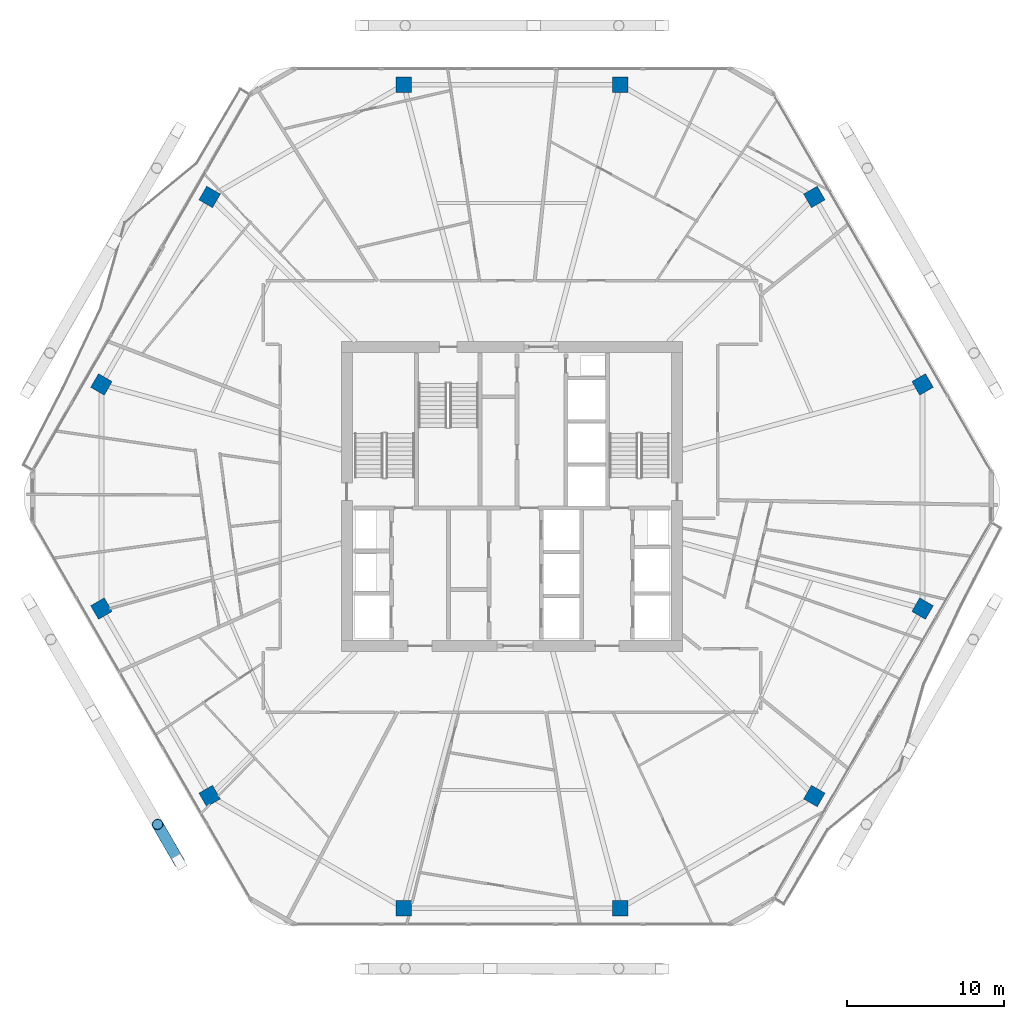
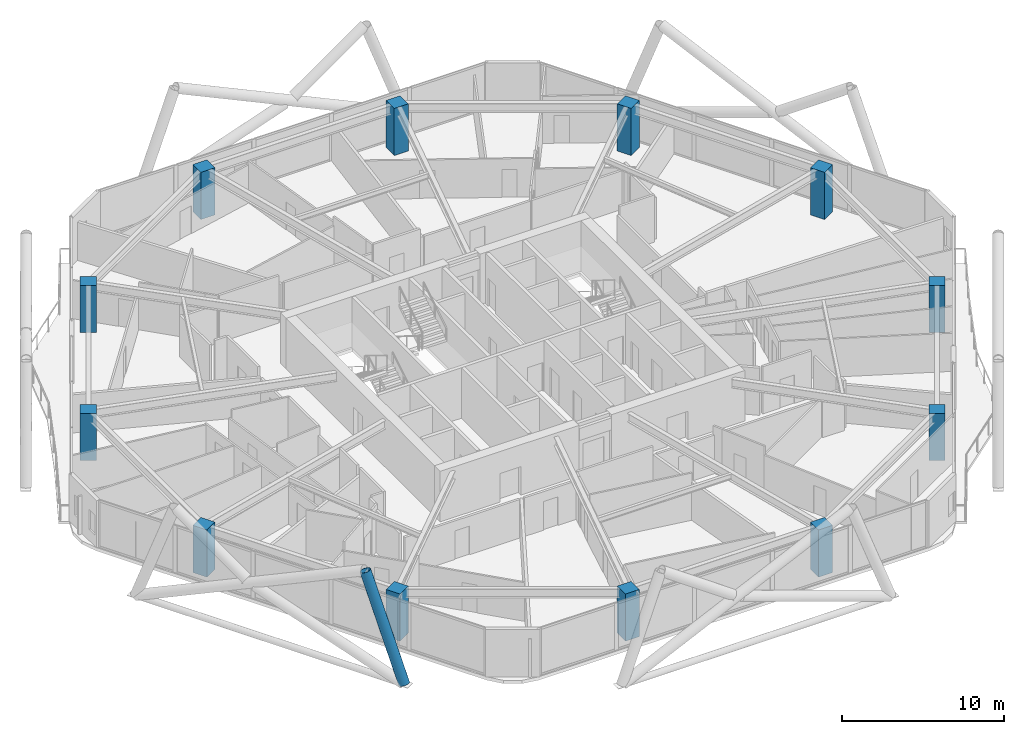
# One storey, part 1 of 30: 12 columns, 1 member.
"""IFC4 building model written with IfcOpenShell, lengths in metres."""

from ifc_helpers import new_model, si_unit, direction, frame, origin, origin_2d, place, context, subcontext, project, spatial, rectangle, hollow_circle, extrude, material, material_profile, profile_set, type_object, element, save


model = new_model("IFC4")

# Units and contexts
model_context = context("Model", 3, precision=1e-05, world=origin(), true_north=direction((0.0, 1.0)))
body_context = subcontext(model_context, "Body", "Model", "MODEL_VIEW")
ifc_project = project(units=[si_unit("LENGTHUNIT", "METRE"), si_unit("AREAUNIT", "SQUARE_METRE"), si_unit("VOLUMEUNIT", "CUBIC_METRE"), si_unit("PLANEANGLEUNIT", "RADIAN"), si_unit("MASSUNIT", "GRAM", prefix="KILO")], contexts=[model_context])

# Site, building, storey
site_placement = place(None, origin())
site = spatial("IfcSite", under=ifc_project, at=site_placement, CompositionType="ELEMENT")
building_placement = place(site_placement, origin())
building = spatial("IfcBuilding", under=site, at=building_placement, Name="Zuhravey Tower", CompositionType="ELEMENT")
storey_placement = place(building_placement, frame((0.0, 0.0, 177.0)))
storey = spatial("IfcBuildingStorey", under=building, at=storey_placement, Name="L44", CompositionType="ELEMENT", Elevation=177.0)

# Columns
ifc_material_1 = material(Name="Concrete C60/75", Category="concrete")
ifc_material_profile_1 = material_profile(ifc_material_1, rectangle(XDim=1.0, YDim=1.0, at=origin_2d()), Name="RC-1000x1000")
ifc_profile_set_1 = profile_set([ifc_material_profile_1], Name="Concrete C60/75")
column_type = type_object("IfcColumnType", Name="Zone 2 Perimeter Column 1000x1000", PredefinedType="COLUMN", material=ifc_profile_set_1)
for number, where, z_axis, x_axis, name in (
    (1, (62.107666015625, 39.12646484375, 0.0), (0.0, 0.0, 1.0), (-0.5, 0.866025403784, 0.0), "L44 Perimeter Column PC01"),
    (2, (55.2255859375, 51.046630859375, 0.0), (0.0, 0.0, 1.0), (-0.5, 0.866025403784, 0.0), "L44 Perimeter Column PC02"),
    (3, (42.882080078125, 58.173095703125, 0.0), (0.0, 0.0, 1.0), (-1.0, 0.0, 0.0), "L44 Perimeter Column PC03"),
    (4, (29.117919921875, 58.173095703125, 0.0), (0.0, 0.0, 1.0), (-1.0, 0.0, 0.0), "L44 Perimeter Column PC04"),
    (5, (16.7744140625, 51.046630859375, 0.0), (0.0, 0.0, 1.0), (-0.5, -0.866025403784, 0.0), "L44 Perimeter Column PC05"),
    (6, (9.892333984375, 39.12646484375, 0.0), (0.0, 0.0, 1.0), (-0.5, -0.866025403784, 0.0), "L44 Perimeter Column PC06"),
    (7, (9.892333984375, 24.87353515625, 0.0), (0.0, 0.0, 1.0), (0.5, -0.866025403784, 0.0), "L44 Perimeter Column PC07"),
    (8, (16.7744140625, 12.953369140625, 0.0), (0.0, 0.0, 1.0), (0.5, -0.866025403784, 0.0), "L44 Perimeter Column PC08"),
    (9, (29.117919921875, 5.826904296875, 0.0), (0.0, 0.0, 1.0), (1.0, 0.0, 0.0), "L44 Perimeter Column PC09"),
    (10, (42.882080078125, 5.826904296875, 0.0), (0.0, 0.0, 1.0), (1.0, 0.0, 0.0), "L44 Perimeter Column PC10"),
    (11, (55.2255859375, 12.953369140625, 0.0), (0.0, 0.0, 1.0), (0.5, 0.866025403784, 0.0), "L44 Perimeter Column PC11"),
    (12, (62.107666015625, 24.87353515625, 0.0), (0.0, 0.0, 1.0), (0.5, 0.866025403784, 0.0), "L44 Perimeter Column PC12"),
):
    element("IfcColumn", number, at=place(storey_placement, frame(where, z_axis=z_axis, x_axis=x_axis)), inside=storey, type_object=column_type, Name=name, PredefinedType="COLUMN", context=body_context, shape_type="SweptSolid", body=[
        extrude(rectangle(XDim=1.0, YDim=1.0, at=origin_2d()), origin(), (0.0, 0.0, 1.0), 3.550048828125),
    ])

# Member
ifc_material_2 = material(Name="Steel SM460", Category="steel")
ifc_material_profile_2 = material_profile(ifc_material_2, hollow_circle(Radius=0.355712890625, WallThickness=0.031982421875, at=origin_2d()), Name="CHS-711.2x32")
ifc_profile_set_2 = profile_set([ifc_material_profile_2], Name="Steel SM460")
member_type = type_object("IfcMemberType", Name="Exoskeleton Zone 2 Diagrid CHS711x32", PredefinedType="BRACE", material=ifc_profile_set_2)
member_placement = place(storey_placement, frame((14.84228515625, 8.760009765625, -0.444091796875), z_axis=(-0.171428917165, 0.296929081792, 0.939385568734), x_axis=(-0.866029404905, -0.499993069792, 0.0)))
element("IfcMember", 13, at=member_placement, inside=storey, type_object=member_type, Name="L44 Face 4 Diagrid Brace 4", PredefinedType="BRACE", context=body_context, shape_type="SweptSolid", body=[
    extrude(hollow_circle(Radius=0.355712890625, WallThickness=0.031982421875, at=origin_2d()), origin(), (0.0, 0.0, 1.0), 8.0478515625),
])

save(model, "model.ifc")
